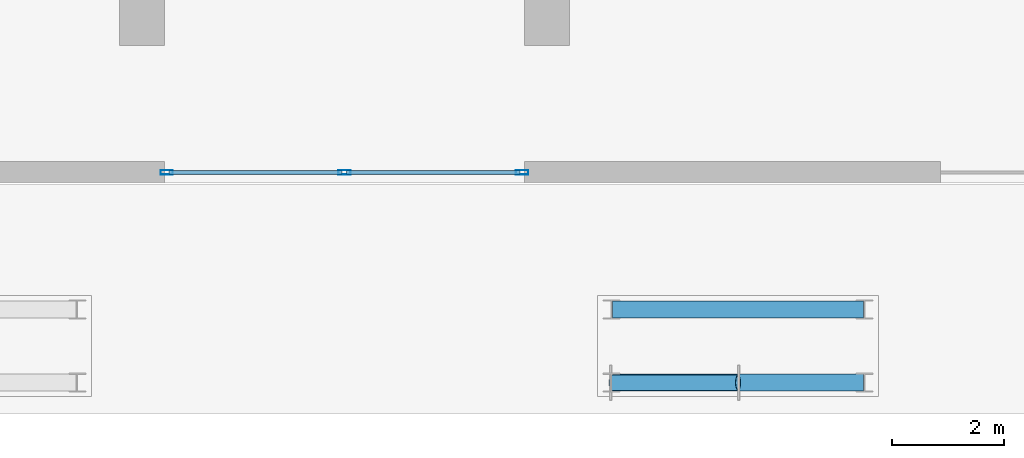
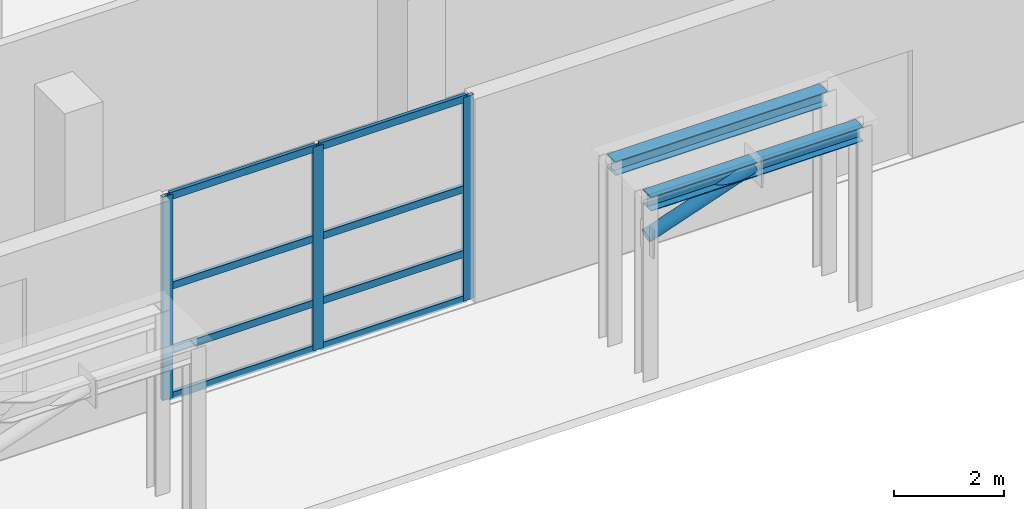
# One storey, part 6 of 22: 12 members, 2 beams, 1 element without a shape of its own.
"""IFC4 building model written with IfcOpenShell, lengths in metres."""

from ifc_helpers import new_model, si_unit, direction, frame, origin, origin_2d, place, context, subcontext, project, spatial, hollow_rectangle, hollow_circle, i_section, extrude, source, transform, mapped, material, material_profile, profile_set, type_object, element, aggregate, save


model = new_model("IFC4")

# Units and contexts
model_context = context("Model", 3, precision=1e-05, world=origin(), true_north=direction((0.0, 1.0)))
body_context = subcontext(model_context, "Body", "Model", "MODEL_VIEW")
ifc_project = project(units=[si_unit("LENGTHUNIT", "METRE"), si_unit("AREAUNIT", "SQUARE_METRE"), si_unit("VOLUMEUNIT", "CUBIC_METRE"), si_unit("PLANEANGLEUNIT", "RADIAN"), si_unit("MASSUNIT", "GRAM", prefix="KILO")], contexts=[model_context])

# Site, building, storey
site_placement = place(None, origin())
site = spatial("IfcSite", under=ifc_project, at=site_placement, CompositionType="ELEMENT")
building_placement = place(site_placement, origin())
building = spatial("IfcBuilding", under=site, at=building_placement, Name="Olszyna Solenne Hotel", CompositionType="ELEMENT")
storey_placement = place(building_placement, origin())
storey = spatial("IfcBuildingStorey", under=building, at=storey_placement, Name="L00", CompositionType="ELEMENT", Elevation=0.0)

# Beams
ifc_material_1 = material(Name="Steel S355J2", Category="steel")
ifc_material_profile_1 = material_profile(ifc_material_1, i_section(OverallWidth=0.300048828125, OverallDepth=0.31005859375, WebThickness=0.009033203125, FlangeThickness=0.015380859375, at=origin_2d()), Name="HEA 320", Category="load-bearing")
ifc_profile_set_1 = profile_set([ifc_material_profile_1], Name="Steel S355J2")
beam_type = type_object("IfcBeamType", Name="BM-G3", PredefinedType="BEAM", material=ifc_profile_set_1)
shared_shape_1 = source(origin(), body_context, "Body", "SweptSolid", [
    extrude(i_section(OverallWidth=0.300048828125, OverallDepth=0.31005859375, WebThickness=0.009033203125, FlangeThickness=0.015380859375, at=origin_2d()), origin(), (0.0, 0.0, 1.0), 4.4599609375),
])
for number, where, z_axis, x_axis, name in (
    (1, (42.77001953125, -0.949951171875, 3.885009765625), (1.0, 0.0, 0.0), (0.0, 1.0, 0.0), "Canopy frame beam BM-G3 B-L00-0147"),
    (2, (47.22998046875, 0.35009765625, 3.885009765625), (-1.0, 0.0, 0.0), (0.0, -1.0, 0.0), "Canopy frame beam BM-G3 B-L00-0148"),
):
    element("IfcBeam", number, at=place(storey_placement, frame(where, z_axis=z_axis, x_axis=x_axis)), inside=storey, type_object=beam_type, Name=name, PredefinedType="BEAM", context=body_context, shape_type="MappedRepresentation", body=[
        mapped(shared_shape_1, transform((0.0, 0.0, 0.0), x_axis=(1.0, 0.0, 0.0), y_axis=(0.0, 1.0, 0.0), z_axis=(0.0, 0.0, 1.0), scale=1.0)),
    ])

# Member
ifc_material_profile_2 = material_profile(ifc_material_1, hollow_circle(Radius=0.136474609375, WallThickness=0.010009765625, at=origin_2d()), Name="CHS 273x10", Category="load-bearing")
ifc_profile_set_2 = profile_set([ifc_material_profile_2], Name="Steel S355J2")
member_type_1 = type_object("IfcMemberType", Name="ST-CN1", PredefinedType="STRUT", material=ifc_profile_set_2)
shared_shape_2 = source(origin(), body_context, "Body", "SweptSolid", [
    extrude(hollow_circle(Radius=0.136474609375, WallThickness=0.010009765625, at=origin_2d()), origin(), (0.0, 0.0, 1.0), 2.38134765625),
])
member_1_placement = place(storey_placement, frame((42.75, -0.949951171875, 3.10009765625), z_axis=(0.944864116305, 0.0, 0.327462672252), x_axis=(0.0, 1.0, 0.0)))
element("IfcMember", 3, at=member_1_placement, inside=storey, type_object=member_type_1, Name="Canopy knee brace strut ST-CN1 M-CN-CN-S2", PredefinedType="STRUT", context=body_context, shape_type="MappedRepresentation", body=[
    mapped(shared_shape_2, transform((0.0, 0.0, 0.0), x_axis=(1.0, 0.0, 0.0), y_axis=(0.0, 1.0, 0.0), z_axis=(0.0, 0.0, 1.0), scale=1.0)),
])

# Curtain wall, members
ifc_material_2 = material(Name="Anodised bronze aluminium", Category="aluminium")
curtain_wall_type = type_object("IfcCurtainWallType", Name="CW-SYS-1", PredefinedType="NOTDEFINED", material=ifc_material_2)
curtain_wall_placement = place(storey_placement, origin())
curtain_wall = element("IfcCurtainWall", 4, at=curtain_wall_placement, inside=storey, type_object=curtain_wall_type, Name="Unitised curtain wall CW-SYS-1 CW-L00-01", PredefinedType="NOTDEFINED")
ifc_material_profile_3 = material_profile(ifc_material_2, hollow_rectangle(XDim=0.080078125, YDim=0.219970703125, WallThickness=0.0048828125, at=origin_2d()), Name="MULL 220x80x5", Category="load-bearing")
ifc_profile_set_3 = profile_set([ifc_material_profile_3], Name="Anodised bronze aluminium")
member_type_2 = type_object("IfcMemberType", Name="CW-M1", PredefinedType="MULLION", material=ifc_profile_set_3)
shared_shape_3 = source(origin(), body_context, "Body", "SweptSolid", [
    extrude(hollow_rectangle(XDim=0.080078125, YDim=0.219970703125, WallThickness=0.0048828125, at=origin_2d()), origin(), (0.0, 0.0, 1.0), 4.52197265625),
])
member_2_placement = place(storey_placement, frame((34.840087890625, 2.7900390625, 0.0), z_axis=(0.0, 0.0, 1.0), x_axis=(0.0, 1.0, 0.0)))
member_2 = element("IfcMember", 5, at=member_2_placement, type_object=member_type_2, Name="Curtain-wall mullion CW-M1 CM-L00-01-01", PredefinedType="MULLION", context=body_context, shape_type="MappedRepresentation", body=[
    mapped(shared_shape_3, transform((0.0, 0.0, 0.0), x_axis=(1.0, 0.0, 0.0), y_axis=(0.0, 1.0, 0.0), z_axis=(0.0, 0.0, 1.0), scale=1.0)),
])
member_3_placement = place(storey_placement, frame((38.0, 2.7900390625, 0.0), z_axis=(0.0, 0.0, 1.0), x_axis=(0.0, 1.0, 0.0)))
member_3 = element("IfcMember", 6, at=member_3_placement, type_object=member_type_2, Name="Curtain-wall mullion CW-M1 CM-L00-01-02", PredefinedType="MULLION", context=body_context, shape_type="MappedRepresentation", body=[
    mapped(shared_shape_3, transform((0.0, 0.0, 0.0), x_axis=(1.0, 0.0, 0.0), y_axis=(0.0, 1.0, 0.0), z_axis=(0.0, 0.0, 1.0), scale=1.0)),
])
member_4_placement = place(storey_placement, frame((41.159912109375, 2.7900390625, 0.0), z_axis=(0.0, 0.0, 1.0), x_axis=(0.0, 1.0, 0.0)))
member_4 = element("IfcMember", 7, at=member_4_placement, type_object=member_type_2, Name="Curtain-wall mullion CW-M1 CM-L00-01-03", PredefinedType="MULLION", context=body_context, shape_type="MappedRepresentation", body=[
    mapped(shared_shape_3, transform((0.0, 0.0, 0.0), x_axis=(1.0, 0.0, 0.0), y_axis=(0.0, 1.0, 0.0), z_axis=(0.0, 0.0, 1.0), scale=1.0)),
])
ifc_material_profile_4 = material_profile(ifc_material_2, hollow_rectangle(XDim=0.074951171875, YDim=0.159912109375, WallThickness=0.00390625, at=origin_2d()), Name="TRAN 160x75x4", Category="load-bearing")
ifc_profile_set_4 = profile_set([ifc_material_profile_4], Name="Anodised bronze aluminium")
member_type_3 = type_object("IfcMemberType", Name="CW-T1", PredefinedType="USERDEFINED", material=ifc_profile_set_4)
shared_shape_4 = source(origin(), body_context, "Body", "SweptSolid", [
    extrude(hollow_rectangle(XDim=0.074951171875, YDim=0.159912109375, WallThickness=0.00390625, at=origin_2d()), origin(), (0.0, 0.0, 1.0), 3.080078125),
])
member_5_placement = place(storey_placement, frame((34.8798828125, 2.7900390625, 0.03759765625), z_axis=(1.0, 0.0, 0.0), x_axis=(0.0, 1.0, 0.0)))
member_5 = element("IfcMember", 8, at=member_5_placement, type_object=member_type_3, Name="Curtain-wall transom CW-T1 CT-L00-01-01", ObjectType="TRANSOM", PredefinedType="USERDEFINED", context=body_context, shape_type="MappedRepresentation", body=[
    mapped(shared_shape_4, transform((0.0, 0.0, 0.0), x_axis=(1.0, 0.0, 0.0), y_axis=(0.0, 1.0, 0.0), z_axis=(0.0, 0.0, 1.0), scale=1.0)),
])
member_6_placement = place(storey_placement, frame((34.8798828125, 2.7900390625, 1.050048828125), z_axis=(1.0, 0.0, 0.0), x_axis=(0.0, 1.0, 0.0)))
member_6 = element("IfcMember", 9, at=member_6_placement, type_object=member_type_3, Name="Curtain-wall transom CW-T1 CT-L00-01-02", ObjectType="TRANSOM", PredefinedType="USERDEFINED", context=body_context, shape_type="MappedRepresentation", body=[
    mapped(shared_shape_4, transform((0.0, 0.0, 0.0), x_axis=(1.0, 0.0, 0.0), y_axis=(0.0, 1.0, 0.0), z_axis=(0.0, 0.0, 1.0), scale=1.0)),
])
member_7_placement = place(storey_placement, frame((34.8798828125, 2.7900390625, 2.487060546875), z_axis=(1.0, 0.0, 0.0), x_axis=(0.0, 1.0, 0.0)))
member_7 = element("IfcMember", 10, at=member_7_placement, type_object=member_type_3, Name="Curtain-wall transom CW-T1 CT-L00-01-03", ObjectType="TRANSOM", PredefinedType="USERDEFINED", context=body_context, shape_type="MappedRepresentation", body=[
    mapped(shared_shape_4, transform((0.0, 0.0, 0.0), x_axis=(1.0, 0.0, 0.0), y_axis=(0.0, 1.0, 0.0), z_axis=(0.0, 0.0, 1.0), scale=1.0)),
])
member_8_placement = place(storey_placement, frame((34.8798828125, 2.7900390625, 4.484619140625), z_axis=(1.0, 0.0, 0.0), x_axis=(0.0, 1.0, 0.0)))
member_8 = element("IfcMember", 11, at=member_8_placement, type_object=member_type_3, Name="Curtain-wall transom CW-T1 CT-L00-01-04", ObjectType="TRANSOM", PredefinedType="USERDEFINED", context=body_context, shape_type="MappedRepresentation", body=[
    mapped(shared_shape_4, transform((0.0, 0.0, 0.0), x_axis=(1.0, 0.0, 0.0), y_axis=(0.0, 1.0, 0.0), z_axis=(0.0, 0.0, 1.0), scale=1.0)),
])
member_9_placement = place(storey_placement, frame((38.0400390625, 2.7900390625, 0.03759765625), z_axis=(1.0, 0.0, 0.0), x_axis=(0.0, 1.0, 0.0)))
member_9 = element("IfcMember", 12, at=member_9_placement, type_object=member_type_3, Name="Curtain-wall transom CW-T1 CT-L00-01-05", ObjectType="TRANSOM", PredefinedType="USERDEFINED", context=body_context, shape_type="MappedRepresentation", body=[
    mapped(shared_shape_4, transform((0.0, 0.0, 0.0), x_axis=(1.0, 0.0, 0.0), y_axis=(0.0, 1.0, 0.0), z_axis=(0.0, 0.0, 1.0), scale=1.0)),
])
member_10_placement = place(storey_placement, frame((38.0400390625, 2.7900390625, 1.050048828125), z_axis=(1.0, 0.0, 0.0), x_axis=(0.0, 1.0, 0.0)))
member_10 = element("IfcMember", 13, at=member_10_placement, type_object=member_type_3, Name="Curtain-wall transom CW-T1 CT-L00-01-06", ObjectType="TRANSOM", PredefinedType="USERDEFINED", context=body_context, shape_type="MappedRepresentation", body=[
    mapped(shared_shape_4, transform((0.0, 0.0, 0.0), x_axis=(1.0, 0.0, 0.0), y_axis=(0.0, 1.0, 0.0), z_axis=(0.0, 0.0, 1.0), scale=1.0)),
])
member_11_placement = place(storey_placement, frame((38.0400390625, 2.7900390625, 2.487060546875), z_axis=(1.0, 0.0, 0.0), x_axis=(0.0, 1.0, 0.0)))
member_11 = element("IfcMember", 14, at=member_11_placement, type_object=member_type_3, Name="Curtain-wall transom CW-T1 CT-L00-01-07", ObjectType="TRANSOM", PredefinedType="USERDEFINED", context=body_context, shape_type="MappedRepresentation", body=[
    mapped(shared_shape_4, transform((0.0, 0.0, 0.0), x_axis=(1.0, 0.0, 0.0), y_axis=(0.0, 1.0, 0.0), z_axis=(0.0, 0.0, 1.0), scale=1.0)),
])
member_12_placement = place(storey_placement, frame((38.0400390625, 2.7900390625, 4.484619140625), z_axis=(1.0, 0.0, 0.0), x_axis=(0.0, 1.0, 0.0)))
member_12 = element("IfcMember", 15, at=member_12_placement, type_object=member_type_3, Name="Curtain-wall transom CW-T1 CT-L00-01-08", ObjectType="TRANSOM", PredefinedType="USERDEFINED", context=body_context, shape_type="MappedRepresentation", body=[
    mapped(shared_shape_4, transform((0.0, 0.0, 0.0), x_axis=(1.0, 0.0, 0.0), y_axis=(0.0, 1.0, 0.0), z_axis=(0.0, 0.0, 1.0), scale=1.0)),
])
aggregate(curtain_wall, [member_2, member_3, member_4, member_5, member_6, member_7, member_8, member_9, member_10, member_11, member_12])

save(model, "model.ifc")
